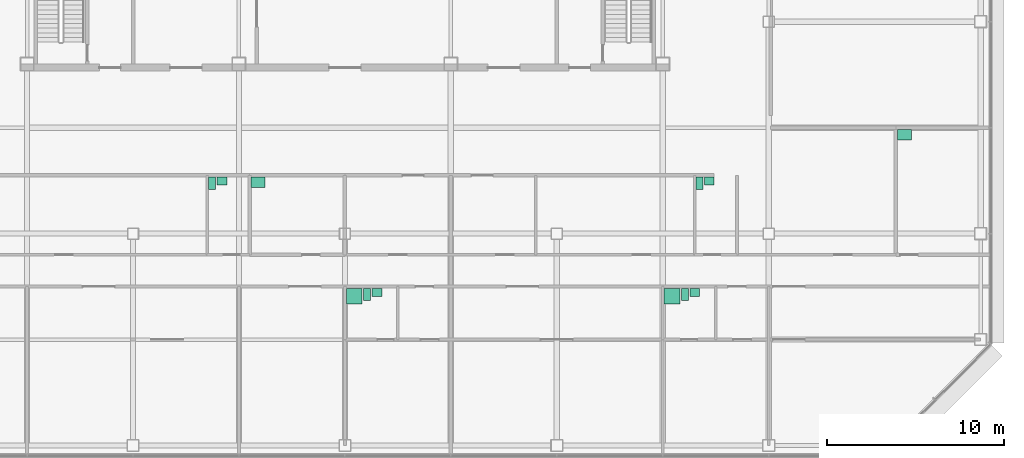
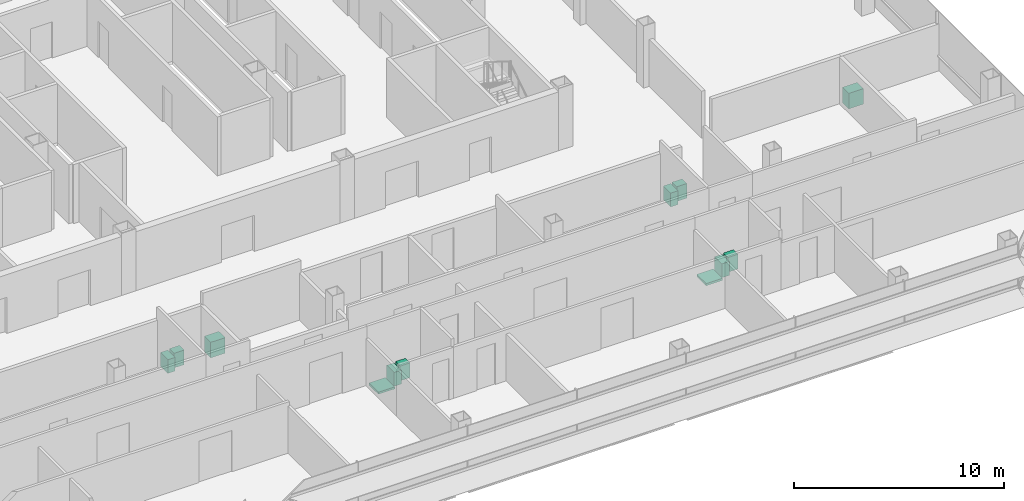
# One storey, part 24 of 24: 12 sanitary terminals.
"""IFC4 building model written with IfcOpenShell, lengths in metres."""

from ifc_helpers import new_model, si_unit, direction, frame, origin, origin_2d, place, context, subcontext, project, spatial, rectangle, extrude, element, save


model = new_model("IFC4")

# Units and contexts
model_context = context("Model", 3, precision=1e-05, world=origin(), true_north=direction((0.0, 1.0)))
body_context = subcontext(model_context, "Body", "Model", "MODEL_VIEW")
ifc_project = project(units=[si_unit("LENGTHUNIT", "METRE"), si_unit("AREAUNIT", "SQUARE_METRE"), si_unit("VOLUMEUNIT", "CUBIC_METRE"), si_unit("PLANEANGLEUNIT", "RADIAN"), si_unit("MASSUNIT", "GRAM", prefix="KILO")], contexts=[model_context])

# Site, building, storey
site_placement = place(None, origin())
site = spatial("IfcSite", under=ifc_project, at=site_placement, CompositionType="ELEMENT")
building_placement = place(site_placement, origin())
building = spatial("IfcBuilding", under=site, at=building_placement, Name="Sorahane Residences", CompositionType="ELEMENT")
storey_placement = place(building_placement, frame((0.0, 0.0, 178.0)))
storey = spatial("IfcBuildingStorey", under=building, at=storey_placement, Name="L41", CompositionType="ELEMENT", Elevation=178.0)

# Sanitary terminals
sanitary_terminal_1_placement = place(storey_placement, frame((24.530029296875, 8.449951171875, 0.0), z_axis=(0.0, 0.0, 1.0), x_axis=(1.0, 0.0, 0.0)))
element("IfcSanitaryTerminal", 1, at=sanitary_terminal_1_placement, inside=storey, Name="Shower tray En-suite bathroom 41A", PredefinedType="SHOWER", context=body_context, shape_type="SweptSolid", body=[
    extrude(rectangle(XDim=0.89990234375, YDim=0.89990234375, at=origin_2d()), origin(), (0.0, 0.0, 1.0), 0.1201171875),
])
sanitary_terminal_2_placement = place(storey_placement, frame((25.260009765625, 8.550048828125, 0.0), z_axis=(0.0, 0.0, 1.0), x_axis=(1.0, 0.0, 0.0)))
element("IfcSanitaryTerminal", 2, at=sanitary_terminal_2_placement, inside=storey, Name="WC pan En-suite bathroom 41A", PredefinedType="TOILETPAN", context=body_context, shape_type="SweptSolid", body=[
    extrude(rectangle(XDim=0.39990234375, YDim=0.699951171875, at=origin_2d()), origin(), (0.0, 0.0, 1.0), 0.800048828125),
])
sanitary_terminal_3_placement = place(storey_placement, frame((25.81494140625, 8.675048828125, 0.0), z_axis=(0.0, 0.0, 1.0), x_axis=(1.0, 0.0, 0.0)))
element("IfcSanitaryTerminal", 3, at=sanitary_terminal_3_placement, inside=storey, Name="Wash basin En-suite bathroom 41A", PredefinedType="WASHHANDBASIN", context=body_context, shape_type="SweptSolid", body=[
    extrude(rectangle(XDim=0.550048828125, YDim=0.449951171875, at=origin_2d()), origin(), (0.0, 0.0, 1.0), 0.85009765625),
])
sanitary_terminal_4_placement = place(storey_placement, frame((16.47998046875, 14.85009765625, 0.0), z_axis=(0.0, 0.0, 1.0), x_axis=(1.0, 0.0, 0.0)))
element("IfcSanitaryTerminal", 4, at=sanitary_terminal_4_placement, inside=storey, Name="WC pan Guest WC 41A", PredefinedType="TOILETPAN", context=body_context, shape_type="SweptSolid", body=[
    extrude(rectangle(XDim=0.39990234375, YDim=0.699951171875, at=origin_2d()), origin(), (0.0, 0.0, 1.0), 0.800048828125),
])
sanitary_terminal_5_placement = place(storey_placement, frame((17.034912109375, 14.97509765625, 0.0), z_axis=(0.0, 0.0, 1.0), x_axis=(1.0, 0.0, 0.0)))
element("IfcSanitaryTerminal", 5, at=sanitary_terminal_5_placement, inside=storey, Name="Wash basin Guest WC 41A", PredefinedType="WASHHANDBASIN", context=body_context, shape_type="SweptSolid", body=[
    extrude(rectangle(XDim=0.550048828125, YDim=0.449951171875, at=origin_2d()), origin(), (0.0, 0.0, 1.0), 0.85009765625),
])
sanitary_terminal_6_placement = place(storey_placement, frame((19.080078125, 14.89990234375, 0.0), z_axis=(0.0, 0.0, 1.0), x_axis=(1.0, 0.0, 0.0)))
element("IfcSanitaryTerminal", 6, at=sanitary_terminal_6_placement, inside=storey, Name="Kitchen sink Kitchen 41A", PredefinedType="SINK", context=body_context, shape_type="SweptSolid", body=[
    extrude(rectangle(XDim=0.800048828125, YDim=0.60009765625, at=origin_2d()), origin(), (0.0, 0.0, 1.0), 0.89990234375),
])
sanitary_terminal_7_placement = place(storey_placement, frame((42.530029296875, 8.449951171875, 0.0), z_axis=(0.0, 0.0, 1.0), x_axis=(1.0, 0.0, 0.0)))
element("IfcSanitaryTerminal", 7, at=sanitary_terminal_7_placement, inside=storey, Name="Shower tray En-suite bathroom 41B", PredefinedType="SHOWER", context=body_context, shape_type="SweptSolid", body=[
    extrude(rectangle(XDim=0.89990234375, YDim=0.89990234375, at=origin_2d()), origin(), (0.0, 0.0, 1.0), 0.1201171875),
])
sanitary_terminal_8_placement = place(storey_placement, frame((43.260009765625, 8.550048828125, 0.0), z_axis=(0.0, 0.0, 1.0), x_axis=(1.0, 0.0, 0.0)))
element("IfcSanitaryTerminal", 8, at=sanitary_terminal_8_placement, inside=storey, Name="WC pan En-suite bathroom 41B", PredefinedType="TOILETPAN", context=body_context, shape_type="SweptSolid", body=[
    extrude(rectangle(XDim=0.39990234375, YDim=0.699951171875, at=origin_2d()), origin(), (0.0, 0.0, 1.0), 0.800048828125),
])
sanitary_terminal_9_placement = place(storey_placement, frame((43.81494140625, 8.675048828125, 0.0), z_axis=(0.0, 0.0, 1.0), x_axis=(1.0, 0.0, 0.0)))
element("IfcSanitaryTerminal", 9, at=sanitary_terminal_9_placement, inside=storey, Name="Wash basin En-suite bathroom 41B", PredefinedType="WASHHANDBASIN", context=body_context, shape_type="SweptSolid", body=[
    extrude(rectangle(XDim=0.550048828125, YDim=0.449951171875, at=origin_2d()), origin(), (0.0, 0.0, 1.0), 0.85009765625),
])
sanitary_terminal_10_placement = place(storey_placement, frame((44.080078125, 14.85009765625, 0.0), z_axis=(0.0, 0.0, 1.0), x_axis=(1.0, 0.0, 0.0)))
element("IfcSanitaryTerminal", 10, at=sanitary_terminal_10_placement, inside=storey, Name="WC pan Guest WC 41B", PredefinedType="TOILETPAN", context=body_context, shape_type="SweptSolid", body=[
    extrude(rectangle(XDim=0.39990234375, YDim=0.699951171875, at=origin_2d()), origin(), (0.0, 0.0, 1.0), 0.800048828125),
])
sanitary_terminal_11_placement = place(storey_placement, frame((44.635009765625, 14.97509765625, 0.0), z_axis=(0.0, 0.0, 1.0), x_axis=(1.0, 0.0, 0.0)))
element("IfcSanitaryTerminal", 11, at=sanitary_terminal_11_placement, inside=storey, Name="Wash basin Guest WC 41B", PredefinedType="WASHHANDBASIN", context=body_context, shape_type="SweptSolid", body=[
    extrude(rectangle(XDim=0.550048828125, YDim=0.449951171875, at=origin_2d()), origin(), (0.0, 0.0, 1.0), 0.85009765625),
])
sanitary_terminal_12_placement = place(storey_placement, frame((55.679931640625, 17.60009765625, 0.0), z_axis=(0.0, 0.0, 1.0), x_axis=(1.0, 0.0, 0.0)))
element("IfcSanitaryTerminal", 12, at=sanitary_terminal_12_placement, inside=storey, Name="Kitchen sink Kitchen 41B", PredefinedType="SINK", context=body_context, shape_type="SweptSolid", body=[
    extrude(rectangle(XDim=0.800048828125, YDim=0.60009765625, at=origin_2d()), origin(), (0.0, 0.0, 1.0), 0.89990234375),
])

save(model, "model.ifc")
